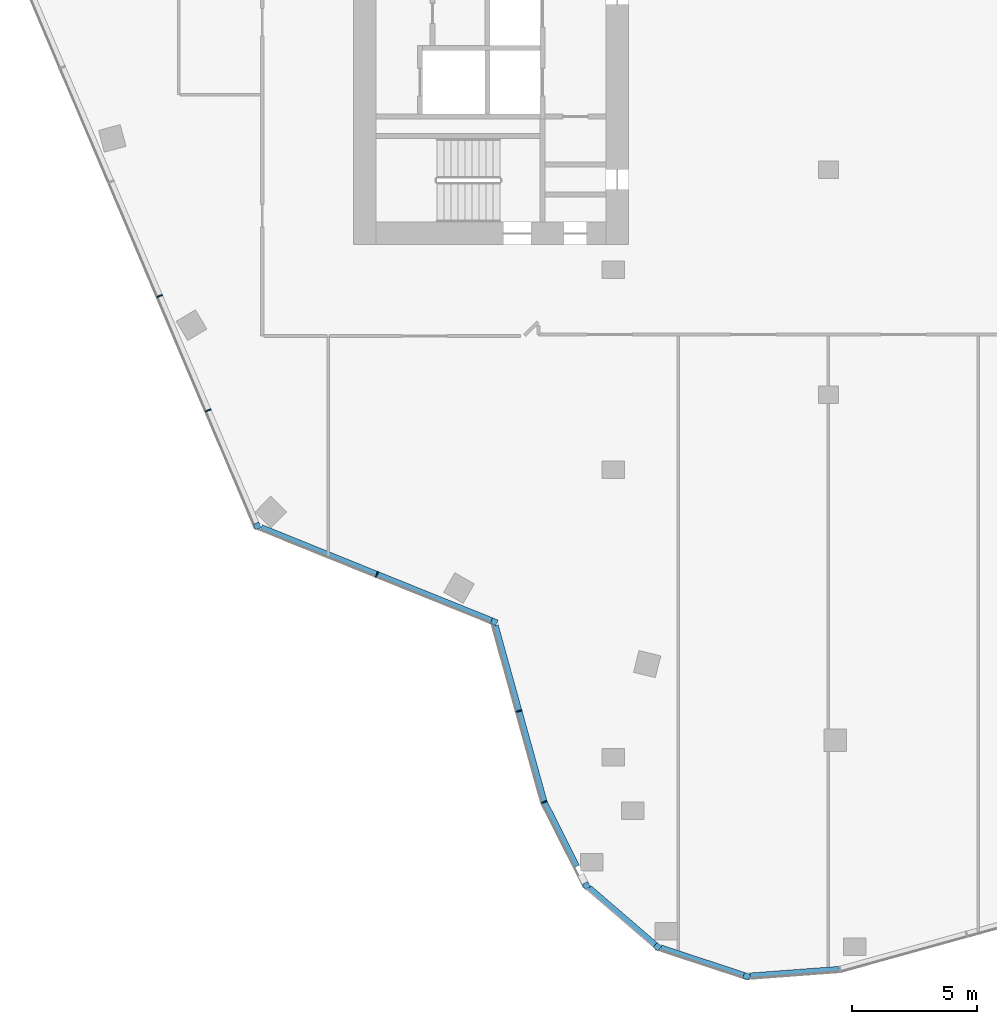
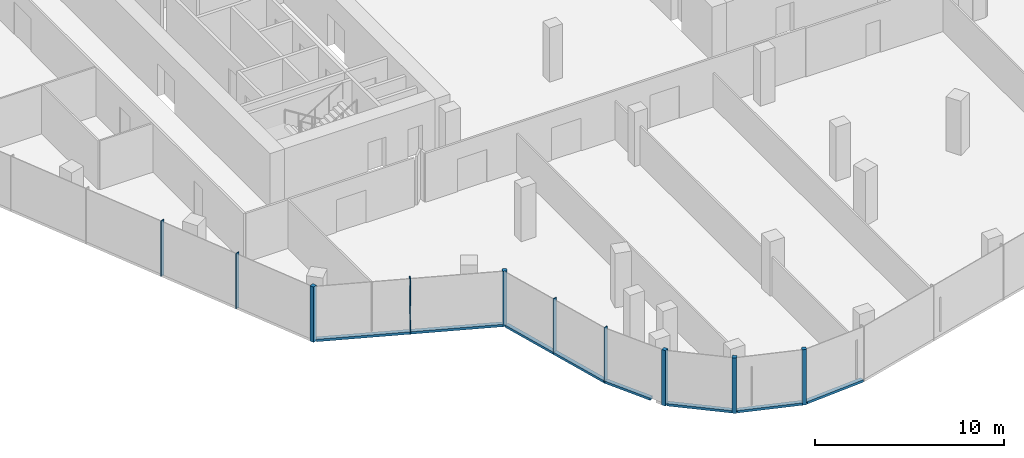
# One storey, part 2 of 17: 16 members, 7 elements without a shape of their own.
"""IFC4 building model written with IfcOpenShell, lengths in metres."""

from ifc_helpers import new_model, si_unit, direction, frame, origin, origin_2d, place, context, subcontext, project, spatial, rectangle, extrude, material, material_profile, profile_set, type_object, element, aggregate, save


model = new_model("IFC4")

# Units and contexts
model_context = context("Model", 3, precision=1e-05, world=origin(), true_north=direction((0.0, 1.0)))
body_context = subcontext(model_context, "Body", "Model", "MODEL_VIEW")
ifc_project = project(units=[si_unit("LENGTHUNIT", "METRE"), si_unit("AREAUNIT", "SQUARE_METRE"), si_unit("VOLUMEUNIT", "CUBIC_METRE"), si_unit("PLANEANGLEUNIT", "RADIAN"), si_unit("MASSUNIT", "GRAM", prefix="KILO")], contexts=[model_context])

# Site, building, storey
site_placement = place(None, origin())
site = spatial("IfcSite", under=ifc_project, at=site_placement, CompositionType="ELEMENT")
building_placement = place(site_placement, origin())
building = spatial("IfcBuilding", under=site, at=building_placement, Name="Orlundy Tower", CompositionType="ELEMENT")
storey_placement = place(building_placement, frame((0.0, 0.0, 289.39990234375)))
storey = spatial("IfcBuildingStorey", under=building, at=storey_placement, Name="L77", CompositionType="ELEMENT", Elevation=289.39990234375)

# Curtain wall, member
ifc_material_1 = material(Name="Aluminium bronze anodised", Category="aluminium")
curtain_wall_type = type_object("IfcCurtainWallType", Name="CW6 wall", PredefinedType="NOTDEFINED", material=ifc_material_1)
curtain_wall_1_placement = place(storey_placement, origin())
curtain_wall_1 = element("IfcCurtainWall", 1, at=curtain_wall_1_placement, inside=storey, type_object=curtain_wall_type, Name="CW6 run 01", PredefinedType="NOTDEFINED")
ifc_material_2 = material(Name="Aluminium bronze anodised", Category="aluminium")
ifc_material_profile_1 = material_profile(ifc_material_2, rectangle(XDim=0.239990234375, YDim=0.239990234375, at=origin_2d()), Name="CW6 corner post 240x240")
ifc_profile_set_1 = profile_set([ifc_material_profile_1], Name="Aluminium bronze anodised")
member_type_1 = type_object("IfcMemberType", Name="CW6 corner post 240x240", PredefinedType="MULLION", material=ifc_profile_set_1)
member_1_placement = place(storey_placement, frame((-13.367919921875, -27.083984375, -0.39990234375), z_axis=(0.0, 0.0, 1.0), x_axis=(-0.374521193474, -0.927218353808, 0.0)))
member_1 = element("IfcMember", 2, at=member_1_placement, type_object=member_type_1, Name="CW6 mullion 3", PredefinedType="MULLION", context=body_context, shape_type="SweptSolid", body=[
    extrude(rectangle(XDim=0.239990234375, YDim=0.239990234375, at=origin_2d()), origin(), (0.0, 0.0, 1.0), 3.580078125),
])

curtain_wall_2_placement = place(storey_placement, origin())
curtain_wall_2 = element("IfcCurtainWall", 3, at=curtain_wall_2_placement, inside=storey, type_object=curtain_wall_type, Name="CW6 run 02", PredefinedType="NOTDEFINED")
member_2_placement = place(storey_placement, frame((-22.85107421875, -23.253662109375, -0.39990234375), z_axis=(0.0, 0.0, 1.0), x_axis=(-0.920506804854, -0.390726531244, 0.0)))
member_2 = element("IfcMember", 4, at=member_2_placement, type_object=member_type_1, Name="CW6 mullion 5", PredefinedType="MULLION", context=body_context, shape_type="SweptSolid", body=[
    extrude(rectangle(XDim=0.239990234375, YDim=0.239990234375, at=origin_2d()), origin(), (0.0, 0.0, 1.0), 3.580078125),
])

curtain_wall_3_placement = place(storey_placement, origin())
curtain_wall_3 = element("IfcCurtainWall", 5, at=curtain_wall_3_placement, inside=storey, type_object=curtain_wall_type, Name="CW6 run 025", PredefinedType="NOTDEFINED")
member_3_placement = place(storey_placement, frame((-3.27392578125, -41.265380859375, -0.39990234375), z_axis=(0.0, 0.0, 1.0), x_axis=(-0.313231470951, -0.949676811134, 0.0)))
member_3 = element("IfcMember", 6, at=member_3_placement, type_object=member_type_1, Name="CW6 mullion 48", PredefinedType="MULLION", context=body_context, shape_type="SweptSolid", body=[
    extrude(rectangle(XDim=0.239990234375, YDim=0.239990234375, at=origin_2d()), origin(), (0.0, 0.0, 1.0), 3.580078125),
])

curtain_wall_4_placement = place(storey_placement, origin())
curtain_wall_4 = element("IfcCurtainWall", 7, at=curtain_wall_4_placement, inside=storey, type_object=curtain_wall_type, Name="CW6 run 026", PredefinedType="NOTDEFINED")
member_4_placement = place(storey_placement, frame((-6.83935546875, -40.089599609375, -0.39990234375), z_axis=(0.0, 0.0, 1.0), x_axis=(-0.652678052104, -0.757635374241, 0.0)))
member_4 = element("IfcMember", 8, at=member_4_placement, type_object=member_type_1, Name="CW6 mullion 49", PredefinedType="MULLION", context=body_context, shape_type="SweptSolid", body=[
    extrude(rectangle(XDim=0.239990234375, YDim=0.239990234375, at=origin_2d()), origin(), (0.0, 0.0, 1.0), 3.580078125),
])

curtain_wall_5_placement = place(storey_placement, origin())
curtain_wall_5 = element("IfcCurtainWall", 9, at=curtain_wall_5_placement, inside=storey, type_object=curtain_wall_type, Name="CW6 run 027", PredefinedType="NOTDEFINED")
member_5_placement = place(storey_placement, frame((-9.683349609375, -37.639404296875, -0.39990234375), z_axis=(0.0, 0.0, 1.0), x_axis=(-0.893019858419, -0.450017257968, 0.0)))
member_5 = element("IfcMember", 10, at=member_5_placement, type_object=member_type_1, Name="CW6 mullion 50", PredefinedType="MULLION", context=body_context, shape_type="SweptSolid", body=[
    extrude(rectangle(XDim=0.239990234375, YDim=0.239990234375, at=origin_2d()), origin(), (0.0, 0.0, 1.0), 3.580078125),
])

# Curtain wall, members
curtain_wall_6_placement = place(storey_placement, origin())
curtain_wall_6 = element("IfcCurtainWall", 11, at=curtain_wall_6_placement, inside=storey, type_object=curtain_wall_type, Name="CW6 run 00", PredefinedType="NOTDEFINED")
ifc_material_3 = material(Name="Aluminium bronze anodised", Category="aluminium")
ifc_material_profile_2 = material_profile(ifc_material_3, rectangle(XDim=0.239990234375, YDim=0.050048828125, at=origin_2d()), Name="CW6 mullion 50x240")
ifc_profile_set_2 = profile_set([ifc_material_profile_2], Name="Aluminium bronze anodised")
member_type_2 = type_object("IfcMemberType", Name="CW6 mullion 50x240", PredefinedType="MULLION", material=ifc_profile_set_2)
member_6_placement = place(storey_placement, frame((-11.367431640625, -34.29736328125, -0.39990234375), z_axis=(0.0, 0.0, 1.0), x_axis=(-0.93281502781, -0.360355552047, 0.0)))
member_6 = element("IfcMember", 12, at=member_6_placement, type_object=member_type_2, Name="CW6 mullion 1", PredefinedType="MULLION", context=body_context, shape_type="SweptSolid", body=[
    extrude(rectangle(XDim=0.239990234375, YDim=0.050048828125, at=origin_2d()), origin(), (0.0, 0.0, 1.0), 3.580078125),
])
member_7_placement = place(storey_placement, frame((-12.377197265625, -30.656494140625, -0.39990234375), z_axis=(0.0, 0.0, 1.0), x_axis=(-0.963633832911, -0.267226188967, 0.0)))
member_7 = element("IfcMember", 13, at=member_7_placement, type_object=member_type_2, Name="CW6 mullion 2", PredefinedType="MULLION", context=body_context, shape_type="SweptSolid", body=[
    extrude(rectangle(XDim=0.239990234375, YDim=0.050048828125, at=origin_2d()), origin(), (0.0, 0.0, 1.0), 3.580078125),
])

# Member
member_8_placement = place(storey_placement, frame((-18.058837890625, -25.189208984375, -0.39990234375), z_axis=(0.0, 0.0, 1.0), x_axis=(-0.374521193474, -0.927218353808, 0.0)))
member_8 = element("IfcMember", 14, at=member_8_placement, type_object=member_type_2, Name="CW6 mullion 4", PredefinedType="MULLION", context=body_context, shape_type="SweptSolid", body=[
    extrude(rectangle(XDim=0.239990234375, YDim=0.050048828125, at=origin_2d()), origin(), (0.0, 0.0, 1.0), 3.580078125),
])

member_9_placement = place(storey_placement, frame((-24.812744140625, -18.63232421875, -0.39990234375), z_axis=(0.0, 0.0, 1.0), x_axis=(-0.920506804854, -0.390726531244, 0.0)))
member_9 = element("IfcMember", 15, at=member_9_placement, type_object=member_type_2, Name="CW6 mullion 6", PredefinedType="MULLION", context=body_context, shape_type="SweptSolid", body=[
    extrude(rectangle(XDim=0.239990234375, YDim=0.050048828125, at=origin_2d()), origin(), (0.0, 0.0, 1.0), 3.580078125),
])

member_10_placement = place(storey_placement, frame((-26.7548828125, -14.056640625, -0.39990234375), z_axis=(0.0, 0.0, 1.0), x_axis=(-0.920506804854, -0.390726531244, 0.0)))
member_10 = element("IfcMember", 16, at=member_10_placement, type_object=member_type_2, Name="CW6 mullion 7", PredefinedType="MULLION", context=body_context, shape_type="SweptSolid", body=[
    extrude(rectangle(XDim=0.239990234375, YDim=0.050048828125, at=origin_2d()), origin(), (0.0, 0.0, 1.0), 3.580078125),
])

aggregate(curtain_wall_2, [member_2, member_9, member_10])

ifc_material_4 = material(Name="Aluminium bronze anodised", Category="aluminium")
ifc_material_profile_3 = material_profile(ifc_material_4, rectangle(XDim=0.239990234375, YDim=0.159912109375, at=origin_2d()), Name="CW6 transom 240x160")
ifc_profile_set_3 = profile_set([ifc_material_profile_3], Name="Aluminium bronze anodised")
member_type_3 = type_object("IfcMemberType", Name="CW6 transom 240x160", PredefinedType="USERDEFINED", material=ifc_profile_set_3)
member_11_placement = place(storey_placement, frame((-11.374267578125, -34.273193359375, -0.31982421875), z_axis=(-0.267213156818, 0.963637446773, 0.0), x_axis=(-0.963637446773, -0.267213156818, 0.0)))
member_11 = element("IfcMember", 17, at=member_11_placement, type_object=member_type_3, Name="CW6 transom", ObjectType="TRANSOM", PredefinedType="USERDEFINED", context=body_context, shape_type="SweptSolid", body=[
    extrude(rectangle(XDim=0.239990234375, YDim=0.159912109375, at=origin_2d()), origin(), (0.0, 0.0, 1.0), 7.309326171875),
])

aggregate(curtain_wall_6, [member_6, member_7, member_11])

member_12_placement = place(storey_placement, frame((-13.47900390625, -27.0390625, -0.31982421875), z_axis=(-0.927219362219, 0.374518696898, 0.0), x_axis=(-0.374518696898, -0.927219362219, 0.0)))
member_12 = element("IfcMember", 18, at=member_12_placement, type_object=member_type_3, Name="CW6 transom", ObjectType="TRANSOM", PredefinedType="USERDEFINED", context=body_context, shape_type="SweptSolid", body=[
    extrude(rectangle(XDim=0.239990234375, YDim=0.159912109375, at=origin_2d()), origin(), (0.0, 0.0, 1.0), 9.93798828125),
])

aggregate(curtain_wall_1, [member_1, member_8, member_12])

# Curtain wall, member
curtain_wall_7_placement = place(storey_placement, origin())
curtain_wall_7 = element("IfcCurtainWall", 19, at=curtain_wall_7_placement, inside=storey, type_object=curtain_wall_type, Name="CW6 run 024", PredefinedType="NOTDEFINED")
member_13_placement = place(storey_placement, frame((0.43359375, -40.98974609375, -0.31982421875), z_axis=(-0.99724542867, -0.074172467912, 0.0), x_axis=(0.074172467912, -0.99724542867, 0.0)))
member_13 = element("IfcMember", 20, at=member_13_placement, type_object=member_type_3, Name="CW6 transom", ObjectType="TRANSOM", PredefinedType="USERDEFINED", context=body_context, shape_type="SweptSolid", body=[
    extrude(rectangle(XDim=0.239990234375, YDim=0.159912109375, at=origin_2d()), origin(), (0.0, 0.0, 1.0), 3.587646484375),
])
aggregate(curtain_wall_7, [member_13])

# Member
member_14_placement = place(storey_placement, frame((-3.387939453125, -41.227783203125, -0.31982421875), z_axis=(-0.949674874064, 0.313237343833, 0.0), x_axis=(-0.313237343833, -0.949674874064, 0.0)))
member_14 = element("IfcMember", 21, at=member_14_placement, type_object=member_type_3, Name="CW6 transom", ObjectType="TRANSOM", PredefinedType="USERDEFINED", context=body_context, shape_type="SweptSolid", body=[
    extrude(rectangle(XDim=0.239990234375, YDim=0.159912109375, at=origin_2d()), origin(), (0.0, 0.0, 1.0), 3.504150390625),
])

aggregate(curtain_wall_3, [member_3, member_14])

member_15_placement = place(storey_placement, frame((-6.93017578125, -40.01123046875, -0.31982421875), z_axis=(-0.757621411438, 0.652694259918, 0.0), x_axis=(-0.652694259918, -0.757621411438, 0.0)))
member_15 = element("IfcMember", 22, at=member_15_placement, type_object=member_type_3, Name="CW6 transom", ObjectType="TRANSOM", PredefinedType="USERDEFINED", context=body_context, shape_type="SweptSolid", body=[
    extrude(rectangle(XDim=0.239990234375, YDim=0.159912109375, at=origin_2d()), origin(), (0.0, 0.0, 1.0), 3.504150390625),
])

aggregate(curtain_wall_4, [member_4, member_15])

member_16_placement = place(storey_placement, frame((-10.068115234375, -36.876220703125, -0.31982421875), z_axis=(-0.449974763399, 0.893041271333, 0.0), x_axis=(-0.893041271333, -0.449974763399, 0.0)))
member_16 = element("IfcMember", 23, at=member_16_placement, type_object=member_type_3, Name="CW6 transom", ObjectType="TRANSOM", PredefinedType="USERDEFINED", context=body_context, shape_type="SweptSolid", body=[
    extrude(rectangle(XDim=0.239990234375, YDim=0.159912109375, at=origin_2d()), origin(), (0.0, 0.0, 1.0), 2.862548828125),
])

aggregate(curtain_wall_5, [member_5, member_16])

save(model, "model.ifc")
